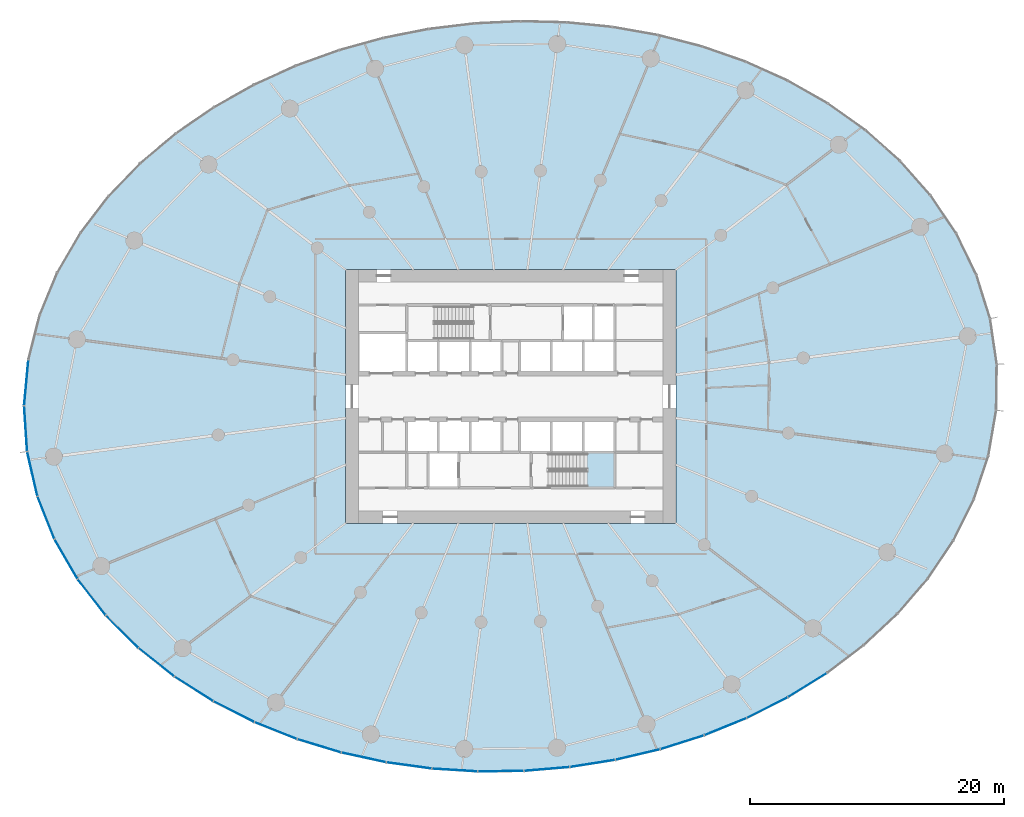
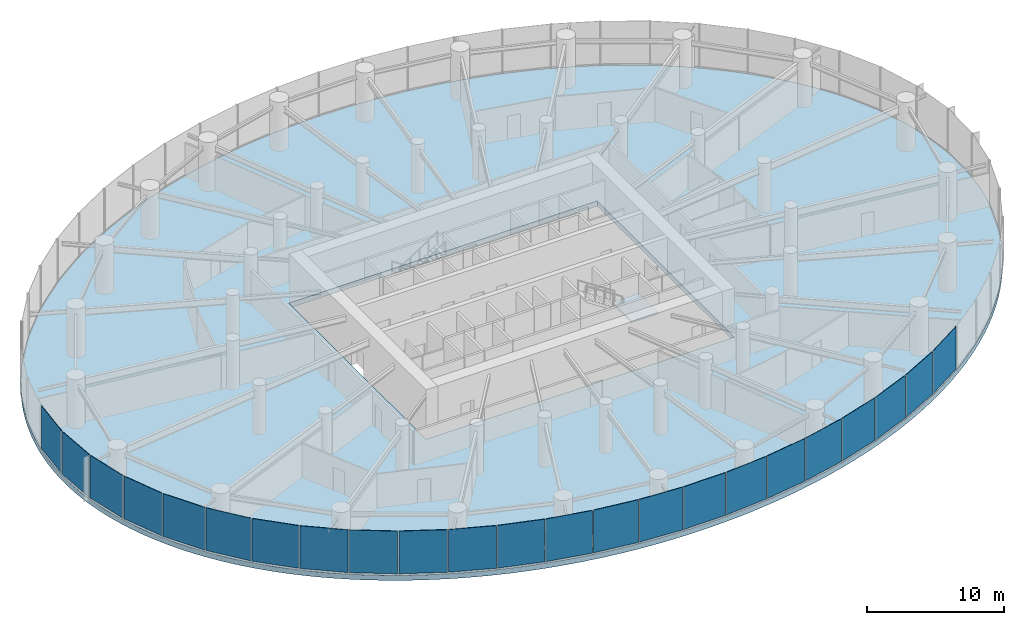
# One storey, part 10 of 19: 23 plates, 2 slabs, 6 elements without a shape of their own.
"""IFC4 building model written with IfcOpenShell, lengths in metres."""

from ifc_helpers import new_model, si_unit, direction, frame, origin, origin_2d, place, context, subcontext, project, spatial, line, indexed_curve, rectangle, outline, extrude, source, transform, mapped, material, layer, layer_set, type_object, element, aggregate, save


model = new_model("IFC4")

# Units and contexts
model_context = context("Model", 3, precision=1e-05, world=origin(), true_north=direction((0.0, 1.0)))
body_context = subcontext(model_context, "Body", "Model", "MODEL_VIEW")
ifc_project = project(units=[si_unit("LENGTHUNIT", "METRE"), si_unit("AREAUNIT", "SQUARE_METRE"), si_unit("VOLUMEUNIT", "CUBIC_METRE"), si_unit("PLANEANGLEUNIT", "RADIAN"), si_unit("MASSUNIT", "GRAM", prefix="KILO")], contexts=[model_context])

# Site, building, storey
site_placement = place(None, origin())
site = spatial("IfcSite", under=ifc_project, at=site_placement, CompositionType="ELEMENT")
building_placement = place(site_placement, origin())
building = spatial("IfcBuilding", under=site, at=building_placement, Name="Spindrift Exchange Tower", CompositionType="ELEMENT")
storey_placement = place(building_placement, frame((0.0, 0.0, 31.39990234375)))
storey = spatial("IfcBuildingStorey", under=building, at=storey_placement, Name="L07", CompositionType="ELEMENT", Elevation=31.39990234375)

# Slab
ifc_material_1 = material(Name="Concrete 50 MPa", Category="concrete")
ifc_layer_1 = layer(ifc_material_1, 0.449951171875)
ifc_layer_set_1 = layer_set([ifc_layer_1], Name="RC Floor Slab 450 Concrete 50 MPa")
slab_type_1 = type_object("IfcSlabType", Name="RC Floor Slab 450 Concrete 50 MPa", PredefinedType="FLOOR", material=ifc_layer_set_1)
slab_1_placement = place(storey_placement, frame((0.0, 0.0, -0.449951171875)))
element("IfcSlab", 1, at=slab_1_placement, inside=storey, type_object=slab_type_1, Name="Floor slab L07", PredefinedType="FLOOR", context=body_context, shape_type="SweptSolid", body=[
    extrude(outline(indexed_curve([(90.266357421875, 50.531005859375), (90.219482421875, 51.123779296875), (90.156982421875, 51.715087890625), (90.078857421875, 52.3046875), (89.985595703125, 52.891845703125), (89.876953125, 53.476318359375), (89.75341796875, 54.05810546875), (89.614501953125, 54.63623046875), (89.461181640625, 55.210693359375), (89.293212890625, 55.781005859375), (89.110595703125, 56.346923828125), (88.9140625, 56.908203125), (88.703369140625, 57.464111328125), (88.47900390625, 58.014892578125), (88.241455078125, 58.559814453125), (87.990478515625, 59.09912109375), (87.726806640625, 59.6318359375), (87.450439453125, 60.158447265625), (87.161865234375, 60.67822265625), (86.861083984375, 61.19140625), (86.549072265625, 61.697509765625), (86.225341796875, 62.1962890625), (85.890625, 62.687744140625), (85.545166015625, 63.171630859375), (85.189208984375, 63.64794921875), (84.8232421875, 64.11669921875), (84.447509765625, 64.577392578125), (84.06201171875, 65.0302734375), (83.66748046875, 65.47509765625), (83.263916015625, 65.91162109375), (82.851806640625, 66.34033203125), (82.431396484375, 66.7607421875), (82.002685546875, 67.1728515625), (81.566162109375, 67.57666015625), (81.122314453125, 67.97216796875), (80.6708984375, 68.359619140625), (80.212890625, 68.73828125), (79.747802734375, 69.10888671875), (79.276123046875, 69.47119140625), (78.79833984375, 69.824951171875), (78.314453125, 70.17041015625), (77.82470703125, 70.5078125), (77.329345703125, 70.836669921875), (76.322509765625, 71.469482421875), (75.8115234375, 71.773681640625), (74.775390625, 72.357421875), (74.25048828125, 72.636962890625), (73.1884765625, 73.171630859375), (72.110595703125, 73.674072265625), (71.566162109375, 73.913330078125), (71.018310546875, 74.14453125), (69.9130859375, 74.583251953125), (69.35595703125, 74.791015625), (68.233154296875, 75.1826171875), (67.667724609375, 75.366943359375), (66.52978515625, 75.71240234375), (65.95751953125, 75.87353515625), (64.806640625, 76.173095703125), (64.228271484375, 76.3115234375), (63.066650390625, 76.56591796875), (62.4833984375, 76.681884765625), (61.312744140625, 76.8916015625), (60.7255859375, 76.985595703125), (59.548095703125, 77.15087890625), (58.957763671875, 77.222900390625), (57.77490234375, 77.344482421875), (56.589111328125, 77.437255859375), (55.99560546875, 77.472900390625), (55.401611328125, 77.501220703125), (54.212890625, 77.53662109375), (53.023681640625, 77.543212890625), (52.42919921875, 77.535888671875), (51.240478515625, 77.5), (50.052978515625, 77.435791015625), (49.4599609375, 77.392822265625), (48.275390625, 77.2861328125), (47.093994140625, 77.151123046875), (45.916015625, 76.98779296875), (45.32861328125, 76.8955078125), (44.1572265625, 76.68994140625), (42.991455078125, 76.455810546875), (42.41064453125, 76.328369140625), (41.831298828125, 76.193603515625), (40.67822265625, 75.90283203125), (40.1044921875, 75.746826171875), (38.962890625, 75.413330078125), (37.830078125, 75.051513671875), (37.267333984375, 74.859619140625), (36.1494140625, 74.454345703125), (35.59423828125, 74.240966796875), (34.492919921875, 73.79248046875), (33.94677734375, 73.55712890625), (32.8642578125, 73.06494140625), (32.328125, 72.807861328125), (31.2666015625, 72.271484375), (30.74169921875, 71.992431640625), (29.703857421875, 71.411865234375), (29.191162109375, 71.110595703125), (28.1796875, 70.4853515625), (27.680908203125, 70.16162109375), (26.6982421875, 69.49169921875), (26.21484375, 69.1455078125), (25.73681640625, 68.791748046875), (24.798095703125, 68.061767578125), (24.337646484375, 67.685302734375), (23.435791015625, 66.910400390625), (22.994873046875, 66.511474609375), (22.560546875, 66.105224609375), (22.133544921875, 65.69140625), (21.713623046875, 65.2705078125), (21.301513671875, 64.841796875), (20.897216796875, 64.406005859375), (20.5009765625, 63.962646484375), (20.11279296875, 63.511962890625), (19.7333984375, 63.05419921875), (19.36279296875, 62.589111328125), (19.00146484375, 62.1171875), (18.649169921875, 61.637939453125), (18.306640625, 61.15185546875), (17.97412109375, 60.658935546875), (17.65185546875, 60.1591796875), (17.33984375, 59.653076171875), (17.038818359375, 59.140380859375), (16.748779296875, 58.62109375), (16.47021484375, 58.095947265625), (16.202880859375, 57.564697265625), (15.947998046875, 57.027587890625), (15.705078125, 56.48486328125), (15.474609375, 55.936767578125), (15.257080078125, 55.38330078125), (15.052490234375, 54.824951171875), (14.861083984375, 54.261962890625), (14.68359375, 53.694580078125), (14.519775390625, 53.123046875), (14.369873046875, 52.547607421875), (14.234375, 51.968505859375), (14.11328125, 51.386474609375), (14.0068359375, 50.801513671875), (13.91552734375, 50.2138671875), (13.839111328125, 49.624267578125), (13.777587890625, 49.03271484375), (13.731689453125, 48.43994140625), (13.701171875, 47.84619140625), (13.685791015625, 47.251708984375), (13.686279296875, 46.656982421875), (13.7021484375, 46.062744140625), (13.733642578125, 45.468994140625), (13.780517578125, 44.876220703125), (13.843017578125, 44.284912109375), (13.921142578125, 43.6953125), (14.014404296875, 43.108154296875), (14.123046875, 42.523681640625), (14.24658203125, 41.94189453125), (14.385498046875, 41.36376953125), (14.538818359375, 40.789306640625), (14.706787109375, 40.218994140625), (14.889404296875, 39.653076171875), (15.0859375, 39.091796875), (15.296630859375, 38.535888671875), (15.52099609375, 37.985107421875), (15.758544921875, 37.440185546875), (16.009521484375, 36.90087890625), (16.273193359375, 36.3681640625), (16.549560546875, 35.841552734375), (16.838134765625, 35.32177734375), (17.138916015625, 34.80859375), (17.450927734375, 34.302490234375), (17.774658203125, 33.8037109375), (18.109375, 33.312255859375), (18.454833984375, 32.828369140625), (18.810791015625, 32.35205078125), (19.1767578125, 31.88330078125), (19.552490234375, 31.422607421875), (19.93798828125, 30.9697265625), (20.33251953125, 30.52490234375), (20.736083984375, 30.08837890625), (21.148193359375, 29.65966796875), (21.568603515625, 29.2392578125), (21.997314453125, 28.8271484375), (22.433837890625, 28.42333984375), (22.877685546875, 28.02783203125), (23.3291015625, 27.640380859375), (23.787109375, 27.26171875), (24.252197265625, 26.89111328125), (24.723876953125, 26.52880859375), (25.20166015625, 26.175048828125), (25.685546875, 25.82958984375), (26.17529296875, 25.4921875), (26.670654296875, 25.163330078125), (27.677490234375, 24.530517578125), (28.1884765625, 24.226318359375), (29.224609375, 23.642578125), (29.74951171875, 23.363037109375), (30.8115234375, 22.828369140625), (31.889404296875, 22.325927734375), (32.433837890625, 22.086669921875), (32.981689453125, 21.85546875), (34.0869140625, 21.416748046875), (34.64404296875, 21.208984375), (35.766845703125, 20.8173828125), (36.332275390625, 20.633056640625), (37.47021484375, 20.28759765625), (38.616943359375, 19.972900390625), (39.193359375, 19.826904296875), (39.771728515625, 19.6884765625), (40.933349609375, 19.43408203125), (41.5166015625, 19.318115234375), (42.687255859375, 19.1083984375), (43.2744140625, 19.014404296875), (44.451904296875, 18.84912109375), (45.042236328125, 18.777099609375), (46.22509765625, 18.655517578125), (47.410888671875, 18.562744140625), (48.00439453125, 18.527099609375), (48.598388671875, 18.498779296875), (49.787109375, 18.46337890625), (50.381591796875, 18.45654296875), (51.57080078125, 18.464111328125), (52.759521484375, 18.5), (53.947021484375, 18.564208984375), (54.5400390625, 18.607177734375), (55.724609375, 18.7138671875), (56.906005859375, 18.848876953125), (58.083984375, 19.01220703125), (58.67138671875, 19.1044921875), (59.8427734375, 19.31005859375), (61.008544921875, 19.544189453125), (61.58935546875, 19.671630859375), (62.168701171875, 19.806396484375), (63.32177734375, 20.09716796875), (63.8955078125, 20.253173828125), (65.037109375, 20.586669921875), (66.169921875, 20.948486328125), (66.732666015625, 21.140380859375), (67.8505859375, 21.545654296875), (68.40576171875, 21.759033203125), (69.507080078125, 22.20751953125), (70.05322265625, 22.44287109375), (71.1357421875, 22.93505859375), (71.671875, 23.192138671875), (72.7333984375, 23.728515625), (73.25830078125, 24.007568359375), (74.296142578125, 24.588134765625), (74.808837890625, 24.889404296875), (75.8203125, 25.5146484375), (76.319091796875, 25.83837890625), (77.3017578125, 26.50830078125), (77.78515625, 26.8544921875), (78.26318359375, 27.208251953125), (79.201904296875, 27.938232421875), (79.662353515625, 28.314697265625), (80.564208984375, 29.089599609375), (81.005126953125, 29.488525390625), (81.439453125, 29.894775390625), (81.866455078125, 30.30859375), (82.286376953125, 30.7294921875), (82.698486328125, 31.158203125), (83.102783203125, 31.593994140625), (83.4990234375, 32.037353515625), (83.88720703125, 32.488037109375), (84.2666015625, 32.94580078125), (84.63720703125, 33.410888671875), (84.99853515625, 33.8828125), (85.350830078125, 34.362060546875), (85.693359375, 34.84814453125), (86.02587890625, 35.341064453125), (86.34814453125, 35.8408203125), (86.66015625, 36.346923828125), (86.961181640625, 36.859619140625), (87.251220703125, 37.37890625), (87.52978515625, 37.904052734375), (87.797119140625, 38.435302734375), (88.052001953125, 38.972412109375), (88.294921875, 39.51513671875), (88.525390625, 40.063232421875), (88.742919921875, 40.61669921875), (88.947509765625, 41.175048828125), (89.138916015625, 41.738037109375), (89.31640625, 42.305419921875), (89.480224609375, 42.876953125), (89.630126953125, 43.452392578125), (89.765625, 44.031494140625), (89.88671875, 44.613525390625), (89.9931640625, 45.198486328125), (90.08447265625, 45.7861328125), (90.160888671875, 46.375732421875), (90.222412109375, 46.96728515625), (90.268310546875, 47.56005859375), (90.298828125, 48.15380859375), (90.314208984375, 48.748291015625), (90.313720703125, 49.343017578125), (90.2978515625, 49.937255859375)], segments=[line(1, 2, 3, 4, 5, 6, 7, 8, 9, 10, 11, 12, 13, 14, 15, 16, 17, 18, 19, 20, 21, 22, 23, 24, 25, 26, 27, 28, 29, 30, 31, 32, 33, 34, 35, 36, 37, 38, 39, 40, 41, 42, 43, 44, 45, 46, 47, 48, 49, 50, 51, 52, 53, 54, 55, 56, 57, 58, 59, 60, 61, 62, 63, 64, 65, 66, 67, 68, 69, 70, 71, 72, 73, 74, 75, 76, 77, 78, 79, 80, 81, 82, 83, 84, 85, 86, 87, 88, 89, 90, 91, 92, 93, 94, 95, 96, 97, 98, 99, 100, 101, 102, 103, 104, 105, 106, 107, 108, 109, 110, 111, 112, 113, 114, 115, 116, 117, 118, 119, 120, 121, 122, 123, 124, 125, 126, 127, 128, 129, 130, 131, 132, 133, 134, 135, 136, 137, 138, 139, 140, 141, 142, 143, 144, 145, 146, 147, 148, 149, 150, 151, 152, 153, 154, 155, 156, 157, 158, 159, 160, 161, 162, 163, 164, 165, 166, 167, 168, 169, 170, 171, 172, 173, 174, 175, 176, 177, 178, 179, 180, 181, 182, 183, 184, 185, 186, 187, 188, 189, 190, 191, 192, 193, 194, 195, 196, 197, 198, 199, 200, 201, 202, 203, 204, 205, 206, 207, 208, 209, 210, 211, 212, 213, 214, 215, 216, 217, 218, 219, 220, 221, 222, 223, 224, 225, 226, 227, 228, 229, 230, 231, 232, 233, 234, 235, 236, 237, 238, 239, 240, 241, 242, 243, 244, 245, 246, 247, 248, 249, 250, 251, 252, 253, 254, 255, 256, 257, 258, 259, 260, 261, 262, 263, 264, 265, 266, 267, 268, 269, 270, 271, 272, 273, 274, 275, 276, 277, 278, 279, 280, 281, 282, 283, 284, 285, 286, 287, 288, 289, 290, 291, 292, 1)], self_intersect=False), holes=[indexed_curve([(39.0, 38.0), (65.0, 38.0), (65.0, 58.0), (39.0, 58.0)], segments=[line(1, 2, 3, 4, 1)], self_intersect=False)]), origin(), (0.0, 0.0, 1.0), 0.449951171875),
])

# Stair, slab
stair_type = type_object("IfcStairType", Name="ST-1250-R183", PredefinedType="HALF_TURN_STAIR", material=ifc_material_1)
stair_placement = place(storey_placement, origin())
stair = element("IfcStair", 2, at=stair_placement, inside=storey, type_object=stair_type, Name="L07 Exit stair ST2", PredefinedType="HALF_TURN_STAIR")
ifc_layer_2 = layer(ifc_material_1, 0.199951171875)
ifc_layer_set_2 = layer_set([ifc_layer_2], Name="SL-LANDING")
slab_type_2 = type_object("IfcSlabType", Name="SL-LANDING", PredefinedType="LANDING", material=ifc_layer_set_2)
slab_2_placement = place(storey_placement, frame((0.0, 0.0, 2.0)))
slab_2 = element("IfcSlab", 3, at=slab_2_placement, type_object=slab_type_2, Name="ST2 landing 1", PredefinedType="LANDING", context=body_context, shape_type="SweptSolid", body=[
    extrude(outline(indexed_curve([(57.949951171875, 43.60009765625), (60.199951171875, 43.60009765625), (60.199951171875, 40.800048828125), (57.949951171875, 40.800048828125)], segments=[line(1, 2, 3, 4, 1)], self_intersect=False)), origin(), (0.0, 0.0, 1.0), 0.2001953125),
])
aggregate(stair, [slab_2])

# Curtain wall, plate
ifc_material_2 = material(Name="Fritted laminated glass with bronze frame", Category="glass")
ifc_layer_3 = layer(ifc_material_2, 0.199951171875)
ifc_layer_set_3 = layer_set([ifc_layer_3], Name="ZONE 1 BRONZE FRITTED WALL")
curtain_wall_type = type_object("IfcCurtainWallType", Name="ZONE 1 BRONZE FRITTED WALL", PredefinedType="NOTDEFINED", material=ifc_layer_set_3)
curtain_wall_1_placement = place(storey_placement, origin())
curtain_wall_1 = element("IfcCurtainWall", 4, at=curtain_wall_1_placement, inside=storey, type_object=curtain_wall_type, Name="L07 Zone 1 Bronze Fritted Wall run 6", PredefinedType="NOTDEFINED")
ifc_material_3 = material(Name="Bronze fritted laminated glass, dense frit", Category="glass")
ifc_layer_4 = layer(ifc_material_3, 0.035888671875)
ifc_layer_set_4 = layer_set([ifc_layer_4], Name="ZONE 1 BRONZE FRITTED WALL PANEL DENSE FRIT 300")
plate_type_1 = type_object("IfcPlateType", Name="ZONE 1 BRONZE FRITTED WALL PANEL DENSE FRIT 300", PredefinedType="CURTAIN_PANEL", material=ifc_layer_set_4)
shared_shape_1 = source(origin(), body_context, "Body", "SweptSolid", [
    extrude(rectangle(XDim=3.54638671875, YDim=0.035888671875, at=origin_2d()), origin(), (0.0, 0.0, 1.0), 3.800048828125),
])
plate_1_placement = place(storey_placement, frame((24.10107421875, 27.073486328125, 0.14990234375), z_axis=(0.0, 0.0, 1.0), x_axis=(0.783064273608, -0.621940787695, 0.0)))
plate_1 = element("IfcPlate", 5, at=plate_1_placement, type_object=plate_type_1, Name="L07 panel CW-1.36", PredefinedType="CURTAIN_PANEL", context=body_context, shape_type="MappedRepresentation", body=[
    mapped(shared_shape_1, transform((0.0, 0.0, 0.0), scale=1.0)),
])

curtain_wall_2_placement = place(storey_placement, origin())
curtain_wall_2 = element("IfcCurtainWall", 6, at=curtain_wall_2_placement, inside=storey, type_object=curtain_wall_type, Name="L07 Zone 1 Bronze Fritted Wall run 7", PredefinedType="NOTDEFINED")
shared_shape_2 = source(origin(), body_context, "Body", "SweptSolid", [
    extrude(rectangle(XDim=3.546875, YDim=0.035888671875, at=origin_2d()), origin(), (0.0, 0.0, 1.0), 3.800048828125),
])
plate_2_placement = place(storey_placement, frame((30.19873046875, 23.179443359375, 0.14990234375), z_axis=(0.0, 0.0, 1.0), x_axis=(0.891814901194, -0.452400466411, 0.0)))
plate_2 = element("IfcPlate", 7, at=plate_2_placement, type_object=plate_type_1, Name="L07 panel CW-1.38", PredefinedType="CURTAIN_PANEL", context=body_context, shape_type="MappedRepresentation", body=[
    mapped(shared_shape_2, transform((0.0, 0.0, 0.0), scale=1.0)),
])

curtain_wall_3_placement = place(storey_placement, origin())
curtain_wall_3 = element("IfcCurtainWall", 8, at=curtain_wall_3_placement, inside=storey, type_object=curtain_wall_type, Name="L07 Zone 1 Bronze Fritted Wall run 9", PredefinedType="NOTDEFINED")
ifc_layer_5 = layer(ifc_material_3, 0.035888671875)
ifc_layer_set_5 = layer_set([ifc_layer_5], Name="ZONE 1 BRONZE FRITTED WALL PANEL DENSE FRIT 420")
plate_type_2 = type_object("IfcPlateType", Name="ZONE 1 BRONZE FRITTED WALL PANEL DENSE FRIT 420", PredefinedType="CURTAIN_PANEL", material=ifc_layer_set_5)
shared_shape_3 = source(origin(), body_context, "Body", "SweptSolid", [
    extrude(rectangle(XDim=3.547119140625, YDim=0.035888671875, at=origin_2d()), origin(), (0.0, 0.0, 1.0), 3.800048828125),
])
plate_3_placement = place(storey_placement, frame((75.364013671875, 25.275390625, 0.14990234375), z_axis=(0.0, 0.0, 1.0), x_axis=(0.849525522103, 0.527547521363, 0.0)))
plate_3 = element("IfcPlate", 9, at=plate_3_placement, type_object=plate_type_2, Name="L07 panel CW-1.51", PredefinedType="CURTAIN_PANEL", context=body_context, shape_type="MappedRepresentation", body=[
    mapped(shared_shape_3, transform((0.0, 0.0, 0.0), scale=1.0)),
])

# Plate
shared_shape_4 = source(origin(), body_context, "Body", "SweptSolid", [
    extrude(rectangle(XDim=3.547119140625, YDim=0.035888671875, at=origin_2d()), origin(), (0.0, 0.0, 1.0), 3.800048828125),
])
plate_4_placement = place(storey_placement, frame((33.50048828125, 21.6875, 0.14990234375), z_axis=(0.0, 0.0, 1.0), x_axis=(0.928911703223, -0.370301293023, 0.0)))
plate_4 = element("IfcPlate", 10, at=plate_4_placement, type_object=plate_type_1, Name="L07 panel CW-1.39", PredefinedType="CURTAIN_PANEL", context=body_context, shape_type="MappedRepresentation", body=[
    mapped(shared_shape_4, transform((0.0, 0.0, 0.0), scale=1.0)),
])

plate_5_placement = place(storey_placement, frame((68.90673828125, 21.998291015625, 0.14990234375), z_axis=(0.0, 0.0, 1.0), x_axis=(0.926411047955, 0.376513705231, 0.0)))
plate_5 = element("IfcPlate", 11, at=plate_5_placement, type_object=plate_type_1, Name="L07 panel CW-1.49", PredefinedType="CURTAIN_PANEL", context=body_context, shape_type="MappedRepresentation", body=[
    mapped(shared_shape_4, transform((0.0, 0.0, 0.0), scale=1.0)),
])

# Curtain wall, plates
curtain_wall_4_placement = place(storey_placement, origin())
curtain_wall_4 = element("IfcCurtainWall", 12, at=curtain_wall_4_placement, inside=storey, type_object=curtain_wall_type, Name="L07 Zone 1 Bronze Fritted Wall run 8", PredefinedType="NOTDEFINED")
shared_shape_5 = source(origin(), body_context, "Body", "SweptSolid", [
    extrude(rectangle(XDim=3.54736328125, YDim=0.035888671875, at=origin_2d()), origin(), (0.0, 0.0, 1.0), 3.800048828125),
])
plate_6_placement = place(storey_placement, frame((47.60400390625, 18.583984375, 0.14990234375), z_axis=(0.0, 0.0, 1.0), x_axis=(0.998072704757, -0.062055426992, 0.0)))
plate_6 = element("IfcPlate", 13, at=plate_6_placement, type_object=plate_type_1, Name="L07 panel CW-1.43", PredefinedType="CURTAIN_PANEL", context=body_context, shape_type="MappedRepresentation", body=[
    mapped(shared_shape_5, transform((0.0, 0.0, 0.0), scale=1.0)),
])
plate_7_placement = place(storey_placement, frame((54.8486328125, 18.665283203125, 0.14990234375), z_axis=(0.0, 0.0, 1.0), x_axis=(0.996454050639, 0.084138724522, 0.0)))
plate_7 = element("IfcPlate", 14, at=plate_7_placement, type_object=plate_type_1, Name="L07 panel CW-1.45", PredefinedType="CURTAIN_PANEL", context=body_context, shape_type="MappedRepresentation", body=[
    mapped(shared_shape_5, transform((0.0, 0.0, 0.0), scale=1.0)),
])

# Plate
ifc_layer_6 = layer(ifc_material_3, 0.035888671875)
ifc_layer_set_6 = layer_set([ifc_layer_6], Name="ZONE 1 BRONZE FRITTED WALL PANEL DENSE FRIT 180")
plate_type_3 = type_object("IfcPlateType", Name="ZONE 1 BRONZE FRITTED WALL PANEL DENSE FRIT 180", PredefinedType="CURTAIN_PANEL", material=ifc_layer_set_6)
shared_shape_6 = source(origin(), body_context, "Body", "SweptSolid", [
    extrude(rectangle(XDim=3.54736328125, YDim=0.035888671875, at=origin_2d()), origin(), (0.0, 0.0, 1.0), 3.800048828125),
])
plate_8_placement = place(storey_placement, frame((36.920654296875, 20.4892578125, 0.14990234375), z_axis=(0.0, 0.0, 1.0), x_axis=(0.956918547417, -0.290356494003, 0.0)))
plate_8 = element("IfcPlate", 15, at=plate_8_placement, type_object=plate_type_3, Name="L07 panel CW-1.40", PredefinedType="CURTAIN_PANEL", context=body_context, shape_type="MappedRepresentation", body=[
    mapped(shared_shape_6, transform((0.0, 0.0, 0.0), scale=1.0)),
])

plate_9_placement = place(storey_placement, frame((40.42822265625, 19.5771484375, 0.14990234375), z_axis=(0.0, 0.0, 1.0), x_axis=(0.977154757403, -0.212529009982, 0.0)))
plate_9 = element("IfcPlate", 16, at=plate_9_placement, type_object=plate_type_3, Name="L07 panel CW-1.41", PredefinedType="CURTAIN_PANEL", context=body_context, shape_type="MappedRepresentation", body=[
    mapped(shared_shape_6, transform((0.0, 0.0, 0.0), scale=1.0)),
])

plate_10_placement = place(storey_placement, frame((51.227783203125, 18.491943359375, 0.14990234375), z_axis=(0.0, 0.0, 1.0), x_axis=(0.99993517419, 0.011386281992, 0.0)))
plate_10 = element("IfcPlate", 17, at=plate_10_placement, type_object=plate_type_3, Name="L07 panel CW-1.44", PredefinedType="CURTAIN_PANEL", context=body_context, shape_type="MappedRepresentation", body=[
    mapped(shared_shape_6, transform((0.0, 0.0, 0.0), scale=1.0)),
])

plate_11_placement = place(storey_placement, frame((58.447265625, 19.10205078125, 0.14990234375), z_axis=(0.0, 0.0, 1.0), x_axis=(0.987651180739, 0.156668903055, 0.0)))
plate_11 = element("IfcPlate", 18, at=plate_11_placement, type_object=plate_type_3, Name="L07 panel CW-1.46", PredefinedType="CURTAIN_PANEL", context=body_context, shape_type="MappedRepresentation", body=[
    mapped(shared_shape_6, transform((0.0, 0.0, 0.0), scale=1.0)),
])

plate_12_placement = place(storey_placement, frame((65.497802734375, 20.766845703125, 0.14990234375), z_axis=(0.0, 0.0, 1.0), x_axis=(0.953146855785, 0.302507968996, 0.0)))
plate_12 = element("IfcPlate", 19, at=plate_12_placement, type_object=plate_type_3, Name="L07 panel CW-1.48", PredefinedType="CURTAIN_PANEL", context=body_context, shape_type="MappedRepresentation", body=[
    mapped(shared_shape_6, transform((0.0, 0.0, 0.0), scale=1.0)),
])

shared_shape_7 = source(origin(), body_context, "Body", "SweptSolid", [
    extrude(rectangle(XDim=3.54736328125, YDim=0.035888671875, at=origin_2d()), origin(), (0.0, 0.0, 1.0), 3.800048828125),
])
plate_13_placement = place(storey_placement, frame((43.9970703125, 18.944091796875, 0.14990234375), z_axis=(0.0, 0.0, 1.0), x_axis=(0.99063331936, -0.136548989645, 0.0)))
plate_13 = element("IfcPlate", 20, at=plate_13_placement, type_object=plate_type_2, Name="L07 panel CW-1.42", PredefinedType="CURTAIN_PANEL", context=body_context, shape_type="MappedRepresentation", body=[
    mapped(shared_shape_7, transform((0.0, 0.0, 0.0), scale=1.0)),
])

plate_14_placement = place(storey_placement, frame((62.00390625, 19.802001953125, 0.14990234375), z_axis=(0.0, 0.0, 1.0), x_axis=(0.97334644602, 0.229339695693, 0.0)))
plate_14 = element("IfcPlate", 21, at=plate_14_placement, type_object=plate_type_2, Name="L07 panel CW-1.47", PredefinedType="CURTAIN_PANEL", context=body_context, shape_type="MappedRepresentation", body=[
    mapped(shared_shape_7, transform((0.0, 0.0, 0.0), scale=1.0)),
])

aggregate(curtain_wall_4, [plate_6, plate_10, plate_7, plate_11, plate_14, plate_12])

shared_shape_8 = source(origin(), body_context, "Body", "SweptSolid", [
    extrude(rectangle(XDim=3.547119140625, YDim=0.035888671875, at=origin_2d()), origin(), (0.0, 0.0, 1.0), 3.800048828125),
])
plate_15_placement = place(storey_placement, frame((72.205078125, 23.5, 0.14990234375), z_axis=(0.0, 0.0, 1.0), x_axis=(0.892266100904, 0.451509917032, 0.0)))
plate_15 = element("IfcPlate", 22, at=plate_15_placement, type_object=plate_type_3, Name="L07 panel CW-1.50", PredefinedType="CURTAIN_PANEL", context=body_context, shape_type="MappedRepresentation", body=[
    mapped(shared_shape_8, transform((0.0, 0.0, 0.0), scale=1.0)),
])

aggregate(curtain_wall_3, [plate_5, plate_15, plate_3])

shared_shape_9 = source(origin(), body_context, "Body", "SweptSolid", [
    extrude(rectangle(XDim=3.545654296875, YDim=0.035888671875, at=origin_2d()), origin(), (0.0, 0.0, 1.0), 3.800048828125),
])
plate_16_placement = place(storey_placement, frame((19.0048828125, 32.196533203125, 0.14990234375), z_axis=(0.0, 0.0, 1.0), x_axis=(0.613628057394, -0.789595217297, 0.0)))
plate_16 = element("IfcPlate", 23, at=plate_16_placement, type_object=plate_type_3, Name="L07 panel CW-1.34", PredefinedType="CURTAIN_PANEL", context=body_context, shape_type="MappedRepresentation", body=[
    mapped(shared_shape_9, transform((0.0, 0.0, 0.0), scale=1.0)),
])

# Curtain wall, plates
curtain_wall_5_placement = place(storey_placement, origin())
curtain_wall_5 = element("IfcCurtainWall", 24, at=curtain_wall_5_placement, inside=storey, type_object=curtain_wall_type, Name="L07 Zone 1 Bronze Fritted Wall run 5", PredefinedType="NOTDEFINED")
shared_shape_10 = source(origin(), body_context, "Body", "SweptSolid", [
    extrude(rectangle(XDim=3.54443359375, YDim=0.035888671875, at=origin_2d()), origin(), (0.0, 0.0, 1.0), 3.800048828125),
])
plate_17_placement = place(storey_placement, frame((13.854248046875, 49.08642578125, 0.14990234375), z_axis=(0.0, 0.0, 1.0), x_axis=(-0.092678185571, -0.995696115248, 0.0)))
plate_17 = element("IfcPlate", 25, at=plate_17_placement, type_object=plate_type_3, Name="L07 panel CW-1.29", PredefinedType="CURTAIN_PANEL", context=body_context, shape_type="MappedRepresentation", body=[
    mapped(shared_shape_10, transform((0.0, 0.0, 0.0), scale=1.0)),
])
shared_shape_11 = source(origin(), body_context, "Body", "SweptSolid", [
    extrude(rectangle(XDim=3.54443359375, YDim=0.035888671875, at=origin_2d()), origin(), (0.0, 0.0, 1.0), 3.800048828125),
])
plate_18_placement = place(storey_placement, frame((13.805908203125, 45.4736328125, 0.14990234375), z_axis=(0.0, 0.0, 1.0), x_axis=(0.065997000609, -0.997819821366, 0.0)))
plate_18 = element("IfcPlate", 26, at=plate_18_placement, type_object=plate_type_2, Name="L07 panel CW-1.30", PredefinedType="CURTAIN_PANEL", context=body_context, shape_type="MappedRepresentation", body=[
    mapped(shared_shape_11, transform((0.0, 0.0, 0.0), scale=1.0)),
])
aggregate(curtain_wall_5, [plate_17, plate_18])

# Plate
plate_19_placement = place(storey_placement, frame((14.32958984375, 41.89892578125, 0.14990234375), z_axis=(0.0, 0.0, 1.0), x_axis=(0.223011930257, -0.974815715386, 0.0)))
plate_19 = element("IfcPlate", 27, at=plate_19_placement, type_object=plate_type_2, Name="L07 panel CW-1.31", PredefinedType="CURTAIN_PANEL", context=body_context, shape_type="MappedRepresentation", body=[
    mapped(shared_shape_11, transform((0.0, 0.0, 0.0), scale=1.0)),
])

shared_shape_12 = source(origin(), body_context, "Body", "SweptSolid", [
    extrude(rectangle(XDim=3.544921875, YDim=0.035888671875, at=origin_2d()), origin(), (0.0, 0.0, 1.0), 3.800048828125),
])
plate_20_placement = place(storey_placement, frame((15.404541015625, 38.448486328125, 0.14990234375), z_axis=(0.0, 0.0, 1.0), x_axis=(0.370114841037, -0.928986008745, 0.0)))
plate_20 = element("IfcPlate", 28, at=plate_20_placement, type_object=plate_type_2, Name="L07 panel CW-1.32", PredefinedType="CURTAIN_PANEL", context=body_context, shape_type="MappedRepresentation", body=[
    mapped(shared_shape_12, transform((0.0, 0.0, 0.0), scale=1.0)),
])

shared_shape_13 = source(origin(), body_context, "Body", "SweptSolid", [
    extrude(rectangle(XDim=3.545166015625, YDim=0.035888671875, at=origin_2d()), origin(), (0.0, 0.0, 1.0), 3.800048828125),
])
plate_21_placement = place(storey_placement, frame((16.98388671875, 35.1962890625, 0.14990234375), z_axis=(0.0, 0.0, 1.0), x_axis=(0.501243447821, -0.865306307626, 0.0)))
plate_21 = element("IfcPlate", 29, at=plate_21_placement, type_object=plate_type_1, Name="L07 panel CW-1.33", PredefinedType="CURTAIN_PANEL", context=body_context, shape_type="MappedRepresentation", body=[
    mapped(shared_shape_13, transform((0.0, 0.0, 0.0), scale=1.0)),
])

shared_shape_14 = source(origin(), body_context, "Body", "SweptSolid", [
    extrude(rectangle(XDim=3.5458984375, YDim=0.035888671875, at=origin_2d()), origin(), (0.0, 0.0, 1.0), 3.800048828125),
])
plate_22_placement = place(storey_placement, frame((21.3994140625, 29.483154296875, 0.14990234375), z_axis=(0.0, 0.0, 1.0), x_axis=(0.707079629714, -0.707133931617, 0.0)))
plate_22 = element("IfcPlate", 30, at=plate_22_placement, type_object=plate_type_1, Name="L07 panel CW-1.35", PredefinedType="CURTAIN_PANEL", context=body_context, shape_type="MappedRepresentation", body=[
    mapped(shared_shape_14, transform((0.0, 0.0, 0.0), scale=1.0)),
])

aggregate(curtain_wall_1, [plate_19, plate_20, plate_21, plate_16, plate_22, plate_1])

shared_shape_15 = source(origin(), body_context, "Body", "SweptSolid", [
    extrude(rectangle(XDim=3.546630859375, YDim=0.035888671875, at=origin_2d()), origin(), (0.0, 0.0, 1.0), 3.800048828125),
])
plate_23_placement = place(storey_placement, frame((27.051025390625, 24.97265625, 0.14990234375), z_axis=(0.0, 0.0, 1.0), x_axis=(0.843872180996, -0.536544259257, 0.0)))
plate_23 = element("IfcPlate", 31, at=plate_23_placement, type_object=plate_type_2, Name="L07 panel CW-1.37", PredefinedType="CURTAIN_PANEL", context=body_context, shape_type="MappedRepresentation", body=[
    mapped(shared_shape_15, transform((0.0, 0.0, 0.0), scale=1.0)),
])

aggregate(curtain_wall_2, [plate_23, plate_2, plate_4, plate_8, plate_9, plate_13])

save(model, "model.ifc")
